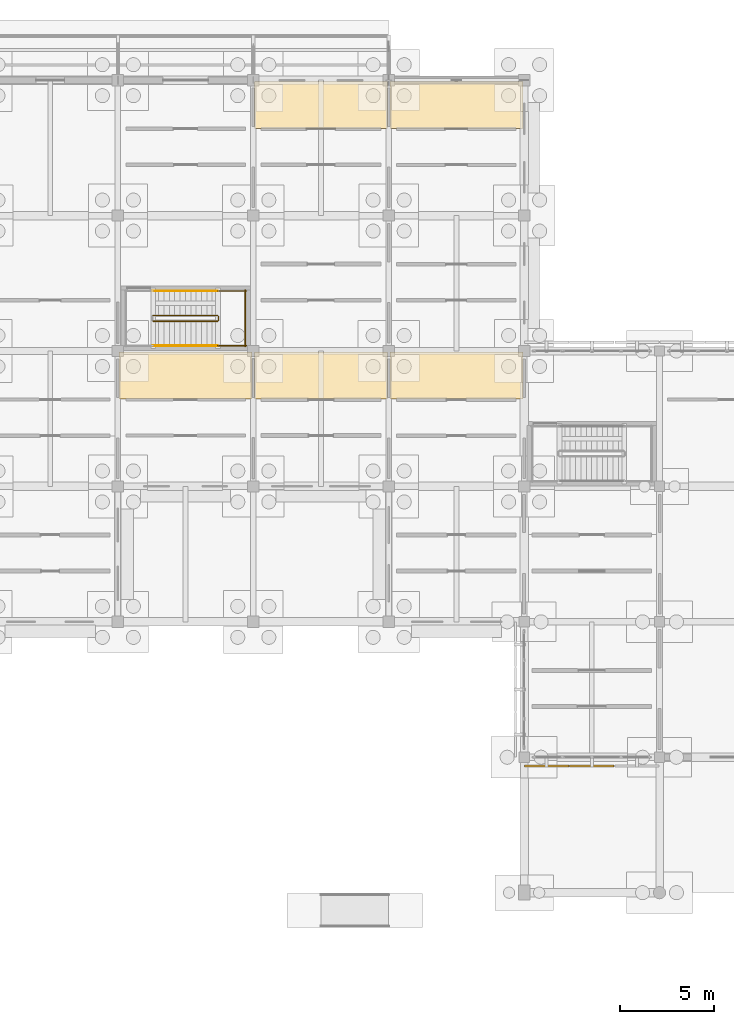
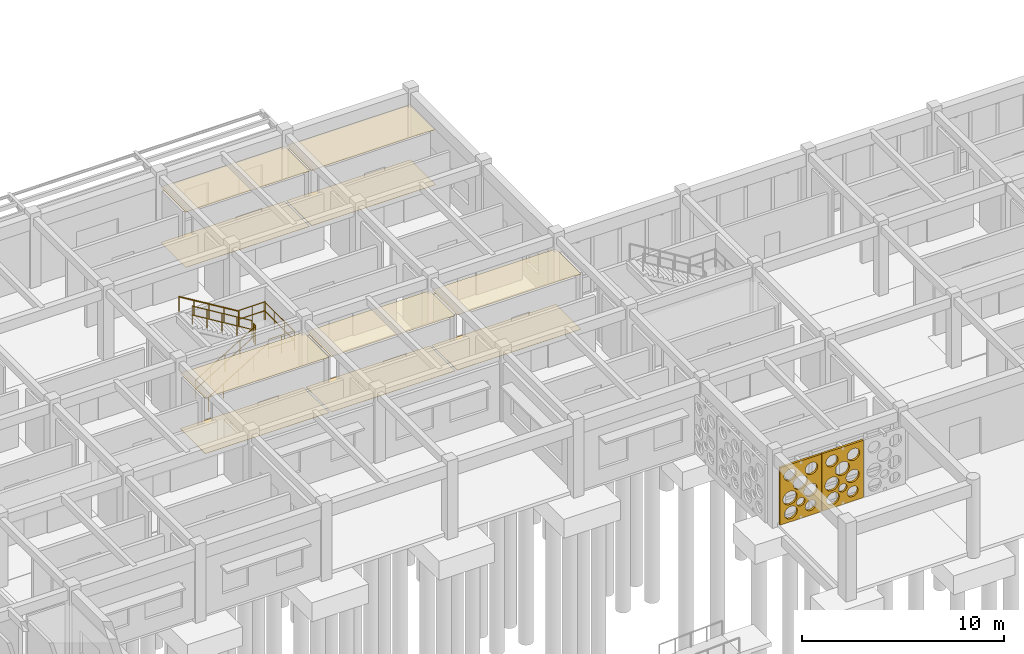
# One storey, part 96 of 111: 12 coverings, 8 railings.
"""IFC4 building model written with IfcOpenShell, lengths in metres."""

from ifc_helpers import new_model, si_unit, direction, frame, origin, origin_2d, place, context, subcontext, project, spatial, polyline, circle, outline, extrude, material, layer, layer_set, type_object, element, save


model = new_model("IFC4")

# Units and contexts
model_context = context("Model", 3, precision=1e-05, world=origin(), true_north=direction((0.0, 1.0)))
body_context = subcontext(model_context, "Body", "Model", "MODEL_VIEW")
ifc_project = project(units=[si_unit("LENGTHUNIT", "METRE"), si_unit("AREAUNIT", "SQUARE_METRE"), si_unit("VOLUMEUNIT", "CUBIC_METRE"), si_unit("PLANEANGLEUNIT", "RADIAN"), si_unit("MASSUNIT", "GRAM", prefix="KILO")], contexts=[model_context])

# Site, building, storey
site_placement = place(None, origin())
site = spatial("IfcSite", under=ifc_project, at=site_placement, CompositionType="ELEMENT")
building_placement = place(site_placement, origin())
building = spatial("IfcBuilding", under=site, at=building_placement, Name="Aldebral Square Health Centre", CompositionType="ELEMENT")
storey_placement = place(building_placement, origin())
storey = spatial("IfcBuildingStorey", under=building, at=storey_placement, Name="L00", CompositionType="ELEMENT", Elevation=0.0)

# Coverings
ifc_material_1 = material(Name="Hygienic acoustic mineral ceiling tile")
ifc_layer_1 = layer(ifc_material_1, 0.02001953125, Name="Hygienic acoustic mineral ceiling tile")
ifc_layer_set_1 = layer_set([ifc_layer_1], Name="Hygienic acoustic mineral ceiling tile")
covering_type_1 = type_object("IfcCoveringType", Name="COV-CLG-AC", PredefinedType="CEILING", material=ifc_layer_set_1)
covering_1_placement = place(storey_placement, frame((0.0, 0.0, 3.340087890625)))
element("IfcCovering", 1, at=covering_1_placement, inside=storey, type_object=covering_type_1, Name="L00 Medical Gas Manifold 7.14N acoustic ceiling", PredefinedType="CEILING", context=body_context, shape_type="SweptSolid", body=[
    extrude(outline(polyline([(43.260009765625, 98.239990234375), (50.340087890625, 98.239990234375), (50.340087890625, 100.739990234375), (43.260009765625, 100.739990234375), (43.260009765625, 98.239990234375)])), origin(), (0.0, 0.0, 1.0), 0.02001953125),
])
covering_2_placement = place(storey_placement, frame((0.0, 0.0, 3.340087890625)))
element("IfcCovering", 2, at=covering_2_placement, inside=storey, type_object=covering_type_1, Name="L00 Clinical Laboratory 8.14N acoustic ceiling", PredefinedType="CEILING", context=body_context, shape_type="SweptSolid", body=[
    extrude(outline(polyline([(50.4599609375, 98.239990234375), (57.5400390625, 98.239990234375), (57.5400390625, 100.739990234375), (50.4599609375, 100.739990234375), (50.4599609375, 98.239990234375)])), origin(), (0.0, 0.0, 1.0), 0.02001953125),
])
covering_3_placement = place(storey_placement, frame((0.0, 0.0, 3.340087890625)))
element("IfcCovering", 3, at=covering_3_placement, inside=storey, type_object=covering_type_1, Name="L00 Observation Bay 8.16N acoustic ceiling", PredefinedType="CEILING", context=body_context, shape_type="SweptSolid", body=[
    extrude(outline(polyline([(50.4599609375, 112.639892578125), (57.5400390625, 112.639892578125), (57.5400390625, 115.139892578125), (50.4599609375, 115.139892578125), (50.4599609375, 112.639892578125)])), origin(), (0.0, 0.0, 1.0), 0.02001953125),
])
covering_4_placement = place(storey_placement, frame((0.0, 0.0, 3.340087890625)))
element("IfcCovering", 4, at=covering_4_placement, inside=storey, type_object=covering_type_1, Name="L00 Accessible WC 9.14N acoustic ceiling", PredefinedType="CEILING", context=body_context, shape_type="SweptSolid", body=[
    extrude(outline(polyline([(57.659912109375, 98.239990234375), (64.739990234375, 98.239990234375), (64.739990234375, 100.739990234375), (57.659912109375, 100.739990234375), (57.659912109375, 98.239990234375)])), origin(), (0.0, 0.0, 1.0), 0.02001953125),
])
covering_5_placement = place(storey_placement, frame((0.0, 0.0, 3.340087890625)))
element("IfcCovering", 5, at=covering_5_placement, inside=storey, type_object=covering_type_1, Name="L00 Urgent Triage Exam 9.16N acoustic ceiling", PredefinedType="CEILING", context=body_context, shape_type="SweptSolid", body=[
    extrude(outline(polyline([(57.659912109375, 112.639892578125), (64.739990234375, 112.639892578125), (64.739990234375, 115.139892578125), (57.659912109375, 115.139892578125), (57.659912109375, 112.639892578125)])), origin(), (0.0, 0.0, 1.0), 0.02001953125),
])
ifc_material_2 = material(Name="Antimicrobial clinical vinyl flooring")
ifc_layer_2 = layer(ifc_material_2, 0.014892578125, Name="Antimicrobial clinical vinyl flooring")
ifc_layer_set_2 = layer_set([ifc_layer_2], Name="Antimicrobial clinical vinyl flooring")
covering_type_2 = type_object("IfcCoveringType", Name="COV-FLR-VN", PredefinedType="FLOORING", material=ifc_layer_set_2)
covering_6_placement = place(storey_placement, origin())
element("IfcCovering", 6, at=covering_6_placement, inside=storey, type_object=covering_type_2, Name="L00 Medical Gas Manifold 7.14N clinical flooring", PredefinedType="FLOORING", context=body_context, shape_type="SweptSolid", body=[
    extrude(outline(polyline([(43.260009765625, 98.239990234375), (50.340087890625, 98.239990234375), (50.340087890625, 100.739990234375), (43.260009765625, 100.739990234375), (43.260009765625, 98.239990234375)])), origin(), (0.0, 0.0, 1.0), 0.014892578125),
])
covering_7_placement = place(storey_placement, origin())
element("IfcCovering", 7, at=covering_7_placement, inside=storey, type_object=covering_type_2, Name="L00 Clinical Laboratory 8.14N clinical flooring", PredefinedType="FLOORING", context=body_context, shape_type="SweptSolid", body=[
    extrude(outline(polyline([(50.4599609375, 98.239990234375), (57.5400390625, 98.239990234375), (57.5400390625, 100.739990234375), (50.4599609375, 100.739990234375), (50.4599609375, 98.239990234375)])), origin(), (0.0, 0.0, 1.0), 0.014892578125),
])
covering_8_placement = place(storey_placement, origin())
element("IfcCovering", 8, at=covering_8_placement, inside=storey, type_object=covering_type_2, Name="L00 Observation Bay 8.16N clinical flooring", PredefinedType="FLOORING", context=body_context, shape_type="SweptSolid", body=[
    extrude(outline(polyline([(50.4599609375, 112.639892578125), (57.5400390625, 112.639892578125), (57.5400390625, 115.139892578125), (50.4599609375, 115.139892578125), (50.4599609375, 112.639892578125)])), origin(), (0.0, 0.0, 1.0), 0.014892578125),
])
covering_9_placement = place(storey_placement, origin())
element("IfcCovering", 9, at=covering_9_placement, inside=storey, type_object=covering_type_2, Name="L00 Accessible WC 9.14N clinical flooring", PredefinedType="FLOORING", context=body_context, shape_type="SweptSolid", body=[
    extrude(outline(polyline([(57.659912109375, 98.239990234375), (64.739990234375, 98.239990234375), (64.739990234375, 100.739990234375), (57.659912109375, 100.739990234375), (57.659912109375, 98.239990234375)])), origin(), (0.0, 0.0, 1.0), 0.014892578125),
])
covering_10_placement = place(storey_placement, origin())
element("IfcCovering", 10, at=covering_10_placement, inside=storey, type_object=covering_type_2, Name="L00 Urgent Triage Exam 9.16N clinical flooring", PredefinedType="FLOORING", context=body_context, shape_type="SweptSolid", body=[
    extrude(outline(polyline([(57.659912109375, 112.639892578125), (64.739990234375, 112.639892578125), (64.739990234375, 115.139892578125), (57.659912109375, 115.139892578125), (57.659912109375, 112.639892578125)])), origin(), (0.0, 0.0, 1.0), 0.014892578125),
])
ifc_material_3 = material(Name="Cream cantera perforated stone screen", Category="masonry")
ifc_layer_3 = layer(ifc_material_3, 0.1201171875, Name="Cream cantera perforated stone screen", Category="masonry")
ifc_layer_set_3 = layer_set([ifc_layer_3], Name="Cream cantera perforated stone screen")
covering_type_3 = type_object("IfcCoveringType", Name="COV-SCR-120", PredefinedType="CLADDING", material=ifc_layer_set_3)
covering_11_placement = place(storey_placement, frame((64.820068359375, 78.739990234375, 0.0), z_axis=(0.0, 0.0, 1.0), x_axis=(1.0, 0.0, 0.0)))
element("IfcCovering", 11, at=covering_11_placement, inside=storey, type_object=covering_type_3, Name="L00 V1 circular-aperture stone screen L00-V1-09-11-S.1", PredefinedType="CLADDING", context=body_context, shape_type="SweptSolid", body=[
    extrude(outline(polyline([(0.0, 0.0), (2.35986328125, 0.0), (2.35986328125, 3.469970703125), (0.0, 3.469970703125), (0.0, 0.0)]), holes=[polyline([(0.98486328125, 0.55517578125), (0.966552734375, 0.4404296875), (0.913818359375, 0.3369140625), (0.831787109375, 0.2548828125), (0.728271484375, 0.2021484375), (0.613525390625, 0.18408203125), (0.498779296875, 0.2021484375), (0.3955078125, 0.2548828125), (0.313232421875, 0.3369140625), (0.260498046875, 0.4404296875), (0.242431640625, 0.55517578125), (0.260498046875, 0.669921875), (0.313232421875, 0.7734375), (0.3955078125, 0.85546875), (0.498779296875, 0.908203125), (0.613525390625, 0.926513671875), (0.728271484375, 0.908203125), (0.831787109375, 0.85546875), (0.913818359375, 0.7734375), (0.966552734375, 0.669921875), (0.98486328125, 0.55517578125)]), polyline([(2.059326171875, 0.58984375), (2.0439453125, 0.4931640625), (1.99951171875, 0.406005859375), (1.930419921875, 0.336669921875), (1.843017578125, 0.292236328125), (1.746337890625, 0.277099609375), (1.649658203125, 0.292236328125), (1.5625, 0.336669921875), (1.4931640625, 0.406005859375), (1.44873046875, 0.4931640625), (1.43359375, 0.58984375), (1.44873046875, 0.6865234375), (1.4931640625, 0.77392578125), (1.5625, 0.843017578125), (1.649658203125, 0.887451171875), (1.746337890625, 0.90283203125), (1.843017578125, 0.887451171875), (1.930419921875, 0.843017578125), (1.99951171875, 0.77392578125), (2.0439453125, 0.6865234375), (2.059326171875, 0.58984375)]), polyline([(0.970703125, 1.45751953125), (0.950927734375, 1.33251953125), (0.8935546875, 1.2197265625), (0.803955078125, 1.13037109375), (0.69140625, 1.072998046875), (0.56640625, 1.052978515625), (0.44140625, 1.072998046875), (0.328857421875, 1.13037109375), (0.2392578125, 1.2197265625), (0.181884765625, 1.33251953125), (0.162109375, 1.45751953125), (0.181884765625, 1.582275390625), (0.2392578125, 1.695068359375), (0.328857421875, 1.784423828125), (0.44140625, 1.841796875), (0.56640625, 1.86181640625), (0.69140625, 1.841796875), (0.803955078125, 1.784423828125), (0.8935546875, 1.695068359375), (0.950927734375, 1.582275390625), (0.970703125, 1.45751953125)]), polyline([(2.124267578125, 1.52685546875), (2.105712890625, 1.41015625), (2.052001953125, 1.3046875), (1.968505859375, 1.22119140625), (1.863037109375, 1.16748046875), (1.746337890625, 1.14892578125), (1.629638671875, 1.16748046875), (1.5244140625, 1.22119140625), (1.440673828125, 1.3046875), (1.38720703125, 1.41015625), (1.36865234375, 1.52685546875), (1.38720703125, 1.6435546875), (1.440673828125, 1.748779296875), (1.5244140625, 1.83251953125), (1.629638671875, 1.88623046875), (1.746337890625, 1.904541015625), (1.863037109375, 1.88623046875), (1.968505859375, 1.83251953125), (2.052001953125, 1.748779296875), (2.105712890625, 1.6435546875), (2.124267578125, 1.52685546875)]), polyline([(1.42431640625, 1.00634765625), (1.412353515625, 0.9306640625), (1.377685546875, 0.862548828125), (1.32373046875, 0.80859375), (1.255615234375, 0.77392578125), (1.179931640625, 0.761962890625), (1.1044921875, 0.77392578125), (1.036376953125, 0.80859375), (0.982177734375, 0.862548828125), (0.947509765625, 0.9306640625), (0.935546875, 1.00634765625), (0.947509765625, 1.081787109375), (0.982177734375, 1.14990234375), (1.036376953125, 1.2041015625), (1.1044921875, 1.23876953125), (1.179931640625, 1.250732421875), (1.255615234375, 1.23876953125), (1.32373046875, 1.2041015625), (1.377685546875, 1.14990234375), (1.412353515625, 1.081787109375), (1.42431640625, 1.00634765625)]), polyline([(1.563232421875, 2.18603515625), (1.54345703125, 2.060302734375), (1.485595703125, 1.947021484375), (1.3955078125, 1.85693359375), (1.2822265625, 1.799072265625), (1.156494140625, 1.779296875), (1.03076171875, 1.799072265625), (0.917236328125, 1.85693359375), (0.8271484375, 1.947021484375), (0.76953125, 2.060302734375), (0.74951171875, 2.18603515625), (0.76953125, 2.311767578125), (0.8271484375, 2.42529296875), (0.917236328125, 2.515380859375), (1.03076171875, 2.572998046875), (1.156494140625, 2.593017578125), (1.2822265625, 2.572998046875), (1.3955078125, 2.515380859375), (1.485595703125, 2.42529296875), (1.54345703125, 2.311767578125), (1.563232421875, 2.18603515625)]), polyline([(0.9091796875, 2.845458984375), (0.892333984375, 2.739501953125), (0.84375, 2.64404296875), (0.767822265625, 2.568115234375), (0.67236328125, 2.51953125), (0.56640625, 2.502685546875), (0.46044921875, 2.51953125), (0.364990234375, 2.568115234375), (0.2890625, 2.64404296875), (0.240478515625, 2.739501953125), (0.2236328125, 2.845458984375), (0.240478515625, 2.951416015625), (0.2890625, 3.046875), (0.364990234375, 3.12255859375), (0.46044921875, 3.17138671875), (0.56640625, 3.18798828125), (0.67236328125, 3.17138671875), (0.767822265625, 3.12255859375), (0.84375, 3.046875), (0.892333984375, 2.951416015625), (0.9091796875, 2.845458984375)]), polyline([(2.1513671875, 2.810791015625), (2.1337890625, 2.7001953125), (2.0830078125, 2.600341796875), (2.00390625, 2.521240234375), (1.904052734375, 2.470458984375), (1.793701171875, 2.452880859375), (1.68310546875, 2.470458984375), (1.583251953125, 2.521240234375), (1.504150390625, 2.600341796875), (1.453369140625, 2.7001953125), (1.435791015625, 2.810791015625), (1.453369140625, 2.921142578125), (1.504150390625, 3.02099609375), (1.583251953125, 3.10009765625), (1.68310546875, 3.15087890625), (1.793701171875, 3.16845703125), (1.904052734375, 3.15087890625), (2.00390625, 3.10009765625), (2.0830078125, 3.02099609375), (2.1337890625, 2.921142578125), (2.1513671875, 2.810791015625)])]), frame((0.0, 0.06005859375, 0.0), z_axis=(0.0, -1.0, 0.0), x_axis=(1.0, 0.0, 0.0)), (0.0, 0.0, 1.0), 0.1201171875),
])
covering_12_placement = place(storey_placement, frame((67.219970703125, 78.739990234375, 0.0), z_axis=(0.0, 0.0, 1.0), x_axis=(1.0, 0.0, 0.0)))
element("IfcCovering", 12, at=covering_12_placement, inside=storey, type_object=covering_type_3, Name="L00 V1 circular-aperture stone screen L00-V1-09-11-S.2", PredefinedType="CLADDING", context=body_context, shape_type="SweptSolid", body=[
    extrude(outline(polyline([(0.0, 0.0), (2.360107421875, 0.0), (2.360107421875, 3.469970703125), (0.0, 3.469970703125), (0.0, 0.0)]), holes=[polyline([(0.98486328125, 0.55517578125), (0.966552734375, 0.4404296875), (0.913818359375, 0.3369140625), (0.831787109375, 0.2548828125), (0.728271484375, 0.2021484375), (0.613525390625, 0.18408203125), (0.498779296875, 0.2021484375), (0.3955078125, 0.2548828125), (0.313232421875, 0.3369140625), (0.260498046875, 0.4404296875), (0.242431640625, 0.55517578125), (0.260498046875, 0.669921875), (0.313232421875, 0.7734375), (0.3955078125, 0.85546875), (0.498779296875, 0.908203125), (0.613525390625, 0.926513671875), (0.728271484375, 0.908203125), (0.831787109375, 0.85546875), (0.913818359375, 0.7734375), (0.966552734375, 0.669921875), (0.98486328125, 0.55517578125)]), polyline([(2.059326171875, 0.58984375), (2.0439453125, 0.4931640625), (1.99951171875, 0.406005859375), (1.930419921875, 0.336669921875), (1.843017578125, 0.292236328125), (1.746337890625, 0.277099609375), (1.649658203125, 0.292236328125), (1.5625, 0.336669921875), (1.4931640625, 0.406005859375), (1.44873046875, 0.4931640625), (1.43359375, 0.58984375), (1.44873046875, 0.6865234375), (1.4931640625, 0.77392578125), (1.5625, 0.843017578125), (1.649658203125, 0.887451171875), (1.746337890625, 0.90283203125), (1.843017578125, 0.887451171875), (1.930419921875, 0.843017578125), (1.99951171875, 0.77392578125), (2.0439453125, 0.6865234375), (2.059326171875, 0.58984375)]), polyline([(0.970703125, 1.45751953125), (0.950927734375, 1.33251953125), (0.8935546875, 1.2197265625), (0.803955078125, 1.13037109375), (0.69140625, 1.072998046875), (0.56640625, 1.052978515625), (0.44140625, 1.072998046875), (0.328857421875, 1.13037109375), (0.2392578125, 1.2197265625), (0.181884765625, 1.33251953125), (0.162109375, 1.45751953125), (0.181884765625, 1.582275390625), (0.2392578125, 1.695068359375), (0.328857421875, 1.784423828125), (0.44140625, 1.841796875), (0.56640625, 1.86181640625), (0.69140625, 1.841796875), (0.803955078125, 1.784423828125), (0.8935546875, 1.695068359375), (0.950927734375, 1.582275390625), (0.970703125, 1.45751953125)]), polyline([(2.124267578125, 1.52685546875), (2.105712890625, 1.41015625), (2.052001953125, 1.3046875), (1.968505859375, 1.22119140625), (1.863037109375, 1.16748046875), (1.746337890625, 1.14892578125), (1.629638671875, 1.16748046875), (1.5244140625, 1.22119140625), (1.440673828125, 1.3046875), (1.38720703125, 1.41015625), (1.36865234375, 1.52685546875), (1.38720703125, 1.6435546875), (1.440673828125, 1.748779296875), (1.5244140625, 1.83251953125), (1.629638671875, 1.88623046875), (1.746337890625, 1.904541015625), (1.863037109375, 1.88623046875), (1.968505859375, 1.83251953125), (2.052001953125, 1.748779296875), (2.105712890625, 1.6435546875), (2.124267578125, 1.52685546875)]), polyline([(1.42431640625, 1.00634765625), (1.412353515625, 0.9306640625), (1.377685546875, 0.862548828125), (1.32373046875, 0.80859375), (1.255615234375, 0.77392578125), (1.179931640625, 0.761962890625), (1.1044921875, 0.77392578125), (1.036376953125, 0.80859375), (0.982177734375, 0.862548828125), (0.947509765625, 0.9306640625), (0.935546875, 1.00634765625), (0.947509765625, 1.081787109375), (0.982177734375, 1.14990234375), (1.036376953125, 1.2041015625), (1.1044921875, 1.23876953125), (1.179931640625, 1.250732421875), (1.255615234375, 1.23876953125), (1.32373046875, 1.2041015625), (1.377685546875, 1.14990234375), (1.412353515625, 1.081787109375), (1.42431640625, 1.00634765625)]), polyline([(1.563232421875, 2.18603515625), (1.54345703125, 2.060302734375), (1.485595703125, 1.947021484375), (1.3955078125, 1.85693359375), (1.2822265625, 1.799072265625), (1.156494140625, 1.779296875), (1.03076171875, 1.799072265625), (0.917236328125, 1.85693359375), (0.8271484375, 1.947021484375), (0.76953125, 2.060302734375), (0.74951171875, 2.18603515625), (0.76953125, 2.311767578125), (0.8271484375, 2.42529296875), (0.917236328125, 2.515380859375), (1.03076171875, 2.572998046875), (1.156494140625, 2.593017578125), (1.2822265625, 2.572998046875), (1.3955078125, 2.515380859375), (1.485595703125, 2.42529296875), (1.54345703125, 2.311767578125), (1.563232421875, 2.18603515625)]), polyline([(0.9091796875, 2.845458984375), (0.892333984375, 2.739501953125), (0.84375, 2.64404296875), (0.767822265625, 2.568115234375), (0.67236328125, 2.51953125), (0.56640625, 2.502685546875), (0.46044921875, 2.51953125), (0.364990234375, 2.568115234375), (0.2890625, 2.64404296875), (0.240478515625, 2.739501953125), (0.2236328125, 2.845458984375), (0.240478515625, 2.951416015625), (0.2890625, 3.046875), (0.364990234375, 3.12255859375), (0.46044921875, 3.17138671875), (0.56640625, 3.18798828125), (0.67236328125, 3.17138671875), (0.767822265625, 3.12255859375), (0.84375, 3.046875), (0.892333984375, 2.951416015625), (0.9091796875, 2.845458984375)]), polyline([(2.1513671875, 2.810791015625), (2.1337890625, 2.7001953125), (2.0830078125, 2.600341796875), (2.00390625, 2.521240234375), (1.904052734375, 2.470458984375), (1.793701171875, 2.452880859375), (1.68310546875, 2.470458984375), (1.583251953125, 2.521240234375), (1.504150390625, 2.600341796875), (1.453369140625, 2.7001953125), (1.435791015625, 2.810791015625), (1.453369140625, 2.921142578125), (1.504150390625, 3.02099609375), (1.583251953125, 3.10009765625), (1.68310546875, 3.15087890625), (1.793701171875, 3.16845703125), (1.904052734375, 3.15087890625), (2.00390625, 3.10009765625), (2.0830078125, 3.02099609375), (2.1337890625, 2.921142578125), (2.1513671875, 2.810791015625)])]), frame((0.0, 0.06005859375, 0.0), z_axis=(0.0, -1.0, 0.0), x_axis=(1.0, 0.0, 0.0)), (0.0, 0.0, 1.0), 0.1201171875),
])

# Railings
ifc_material_4 = material(Name="Painted steel S355JR stair guard", Category="steel")
railing_type_1 = type_object("IfcRailingType", Name="RL-ST-GRD", PredefinedType="GUARDRAIL", material=ifc_material_4)
railing_1_placement = place(storey_placement, frame((45.080078125, 102.389892578125, 0.173095703125)))
element("IfcRailing", 13, at=railing_1_placement, inside=storey, type_object=railing_type_1, Name="L00 ST-06 stair guard 1", PredefinedType="GUARDRAIL", context=body_context, shape_type="SweptSolid", body=[
    extrude(circle(Radius=0.02392578125, at=origin_2d()), frame((0.0, 0.0, 1.09619140625), z_axis=(0.854729506542, 0.0, 0.519073665916), x_axis=(0.0, 1.0, 0.0)), (0.0, 0.0, 1.0), 4.001220703125),
    extrude(circle(Radius=0.02392578125, at=origin_2d()), frame((0.0, 0.0, 0.56005859375), z_axis=(0.854729506542, 0.0, 0.519073665916), x_axis=(0.0, 1.0, 0.0)), (0.0, 0.0, 1.0), 4.001220703125),
    extrude(circle(Radius=0.02099609375, at=origin_2d()), origin(), (0.0, 0.0, 1.0), 1.072021484375),
    extrude(circle(Radius=0.02099609375, at=origin_2d()), frame((0.85498046875, 0.0, 0.519287109375)), (0.0, 0.0, 1.0), 1.072021484375),
    extrude(circle(Radius=0.02099609375, at=origin_2d()), frame((1.7099609375, 0.0, 1.03857421875)), (0.0, 0.0, 1.0), 1.072021484375),
    extrude(circle(Radius=0.02099609375, at=origin_2d()), frame((2.56494140625, 0.0, 1.5576171875)), (0.0, 0.0, 1.0), 1.072021484375),
    extrude(circle(Radius=0.02099609375, at=origin_2d()), frame((3.419921875, 0.0, 2.076904296875)), (0.0, 0.0, 1.0), 1.072021484375),
])
railing_2_placement = place(storey_placement, frame((48.550048828125, 102.43994140625, 2.25)))
element("IfcRailing", 14, at=railing_2_placement, inside=storey, type_object=railing_type_1, Name="L00 ST-06 stair guard 2", PredefinedType="GUARDRAIL", context=body_context, shape_type="SweptSolid", body=[
    extrude(circle(Radius=0.02392578125, at=origin_2d()), frame((0.0, 0.0, 1.09619140625), z_axis=(0.0, 1.0, 0.0), x_axis=(-1.0, 0.0, 0.0)), (0.0, 0.0, 1.0), 0.199951171875),
    extrude(circle(Radius=0.02392578125, at=origin_2d()), frame((0.0, 0.0, 0.56005859375), z_axis=(0.0, 1.0, 0.0), x_axis=(-1.0, 0.0, 0.0)), (0.0, 0.0, 1.0), 0.199951171875),
    extrude(circle(Radius=0.02099609375, at=origin_2d()), origin(), (0.0, 0.0, 1.0), 1.072021484375),
    extrude(circle(Radius=0.02099609375, at=origin_2d()), frame((0.0, 0.199951171875, 0.0)), (0.0, 0.0, 1.0), 1.072021484375),
])
for number, where, name in (
    (15, (48.5, 101.090087890625, 2.25), "L00 ST-06 stair guard 3"),
    (16, (48.5, 103.989990234375, 2.25), "L00 ST-06 stair guard 4"),
):
    element("IfcRailing", number, at=place(storey_placement, frame(where)), inside=storey, type_object=railing_type_1, Name=name, PredefinedType="GUARDRAIL", context=body_context, shape_type="SweptSolid", body=[
        extrude(circle(Radius=0.02392578125, at=origin_2d()), frame((0.0, 0.0, 1.09619140625), z_axis=(1.0, 0.0, 0.0), x_axis=(0.0, 1.0, 0.0)), (0.0, 0.0, 1.0), 1.52001953125),
        extrude(circle(Radius=0.02392578125, at=origin_2d()), frame((0.0, 0.0, 0.56005859375), z_axis=(1.0, 0.0, 0.0), x_axis=(0.0, 1.0, 0.0)), (0.0, 0.0, 1.0), 1.52001953125),
        extrude(circle(Radius=0.02099609375, at=origin_2d()), origin(), (0.0, 0.0, 1.0), 1.072021484375),
        extrude(circle(Radius=0.02099609375, at=origin_2d()), frame((0.760009765625, 0.0, 0.0)), (0.0, 0.0, 1.0), 1.072021484375),
        extrude(circle(Radius=0.02099609375, at=origin_2d()), frame((1.52001953125, 0.0, 0.0)), (0.0, 0.0, 1.0), 1.072021484375),
    ])
railing_3_placement = place(storey_placement, frame((49.969970703125, 101.0400390625, 2.25)))
element("IfcRailing", 17, at=railing_3_placement, inside=storey, type_object=railing_type_1, Name="L00 ST-06 stair guard 5", PredefinedType="GUARDRAIL", context=body_context, shape_type="SweptSolid", body=[
    extrude(circle(Radius=0.02392578125, at=origin_2d()), frame((0.0, 0.0, 1.09619140625), z_axis=(0.0, 1.0, 0.0), x_axis=(-1.0, 0.0, 0.0)), (0.0, 0.0, 1.0), 3.0),
    extrude(circle(Radius=0.02392578125, at=origin_2d()), frame((0.0, 0.0, 0.56005859375), z_axis=(0.0, 1.0, 0.0), x_axis=(-1.0, 0.0, 0.0)), (0.0, 0.0, 1.0), 3.0),
    extrude(circle(Radius=0.02099609375, at=origin_2d()), origin(), (0.0, 0.0, 1.0), 1.072021484375),
    extrude(circle(Radius=0.02099609375, at=origin_2d()), frame((0.0, 1.0, 0.0)), (0.0, 0.0, 1.0), 1.072021484375),
    extrude(circle(Radius=0.02099609375, at=origin_2d()), frame((0.0, 2.0, 0.0)), (0.0, 0.0, 1.0), 1.072021484375),
    extrude(circle(Radius=0.02099609375, at=origin_2d()), frame((0.0, 3.0, 0.0)), (0.0, 0.0, 1.0), 1.072021484375),
])
railing_4_placement = place(storey_placement, frame((48.5, 102.68994140625, 2.423095703125)))
element("IfcRailing", 18, at=railing_4_placement, inside=storey, type_object=railing_type_1, Name="L00 ST-06 stair guard 6", PredefinedType="GUARDRAIL", context=body_context, shape_type="SweptSolid", body=[
    extrude(circle(Radius=0.02392578125, at=origin_2d()), frame((0.0, 0.0, 1.09619140625), z_axis=(-0.854729506542, 0.0, 0.519073665916), x_axis=(0.0, -1.0, 0.0)), (0.0, 0.0, 1.0), 4.001220703125),
    extrude(circle(Radius=0.02392578125, at=origin_2d()), frame((0.0, 0.0, 0.56005859375), z_axis=(-0.854729506542, 0.0, 0.519073665916), x_axis=(0.0, -1.0, 0.0)), (0.0, 0.0, 1.0), 4.001220703125),
    extrude(circle(Radius=0.02099609375, at=origin_2d()), origin(), (0.0, 0.0, 1.0), 1.072021484375),
    extrude(circle(Radius=0.02099609375, at=origin_2d()), frame((-0.85498046875, 0.0, 0.519287109375)), (0.0, 0.0, 1.0), 1.072021484375),
    extrude(circle(Radius=0.02099609375, at=origin_2d()), frame((-1.7099609375, 0.0, 1.03857421875)), (0.0, 0.0, 1.0), 1.072021484375),
    extrude(circle(Radius=0.02099609375, at=origin_2d()), frame((-2.56494140625, 0.0, 1.5576171875)), (0.0, 0.0, 1.0), 1.072021484375),
    extrude(circle(Radius=0.02099609375, at=origin_2d()), frame((-3.419921875, 0.0, 2.076904296875)), (0.0, 0.0, 1.0), 1.072021484375),
])
ifc_material_5 = material(Name="Brushed stainless steel handrail", Category="steel")
railing_type_2 = type_object("IfcRailingType", Name="RL-ST-HND", PredefinedType="HANDRAIL", material=ifc_material_5)
railing_5_placement = place(storey_placement, frame((45.080078125, 101.090087890625, 0.173095703125)))
element("IfcRailing", 19, at=railing_5_placement, inside=storey, type_object=railing_type_2, Name="L00 ST-06 stair handrail 1", PredefinedType="HANDRAIL", context=body_context, shape_type="SweptSolid", body=[
    extrude(circle(Radius=0.02392578125, at=origin_2d()), frame((0.0, 0.0, 0.8759765625), z_axis=(0.854729506542, 0.0, 0.519073665916), x_axis=(0.0, 1.0, 0.0)), (0.0, 0.0, 1.0), 4.001220703125),
    extrude(circle(Radius=0.02099609375, at=origin_2d()), origin(), (0.0, 0.0, 1.0), 0.851806640625),
    extrude(circle(Radius=0.02099609375, at=origin_2d()), frame((0.85498046875, 0.0, 0.519287109375)), (0.0, 0.0, 1.0), 0.851806640625),
    extrude(circle(Radius=0.02099609375, at=origin_2d()), frame((1.7099609375, 0.0, 1.03857421875)), (0.0, 0.0, 1.0), 0.851806640625),
    extrude(circle(Radius=0.02099609375, at=origin_2d()), frame((2.56494140625, 0.0, 1.5576171875)), (0.0, 0.0, 1.0), 0.851806640625),
    extrude(circle(Radius=0.02099609375, at=origin_2d()), frame((3.419921875, 0.0, 2.076904296875)), (0.0, 0.0, 1.0), 0.851806640625),
])
railing_6_placement = place(storey_placement, frame((48.5, 103.989990234375, 2.423095703125)))
element("IfcRailing", 20, at=railing_6_placement, inside=storey, type_object=railing_type_2, Name="L00 ST-06 stair handrail 2", PredefinedType="HANDRAIL", context=body_context, shape_type="SweptSolid", body=[
    extrude(circle(Radius=0.02392578125, at=origin_2d()), frame((0.0, 0.0, 0.8759765625), z_axis=(-0.854729506542, 0.0, 0.519073665916), x_axis=(0.0, -1.0, 0.0)), (0.0, 0.0, 1.0), 4.001220703125),
    extrude(circle(Radius=0.02099609375, at=origin_2d()), origin(), (0.0, 0.0, 1.0), 0.851806640625),
    extrude(circle(Radius=0.02099609375, at=origin_2d()), frame((-0.85498046875, 0.0, 0.519287109375)), (0.0, 0.0, 1.0), 0.851806640625),
    extrude(circle(Radius=0.02099609375, at=origin_2d()), frame((-1.7099609375, 0.0, 1.03857421875)), (0.0, 0.0, 1.0), 0.851806640625),
    extrude(circle(Radius=0.02099609375, at=origin_2d()), frame((-2.56494140625, 0.0, 1.5576171875)), (0.0, 0.0, 1.0), 0.851806640625),
    extrude(circle(Radius=0.02099609375, at=origin_2d()), frame((-3.419921875, 0.0, 2.076904296875)), (0.0, 0.0, 1.0), 0.851806640625),
])

save(model, "model.ifc")
